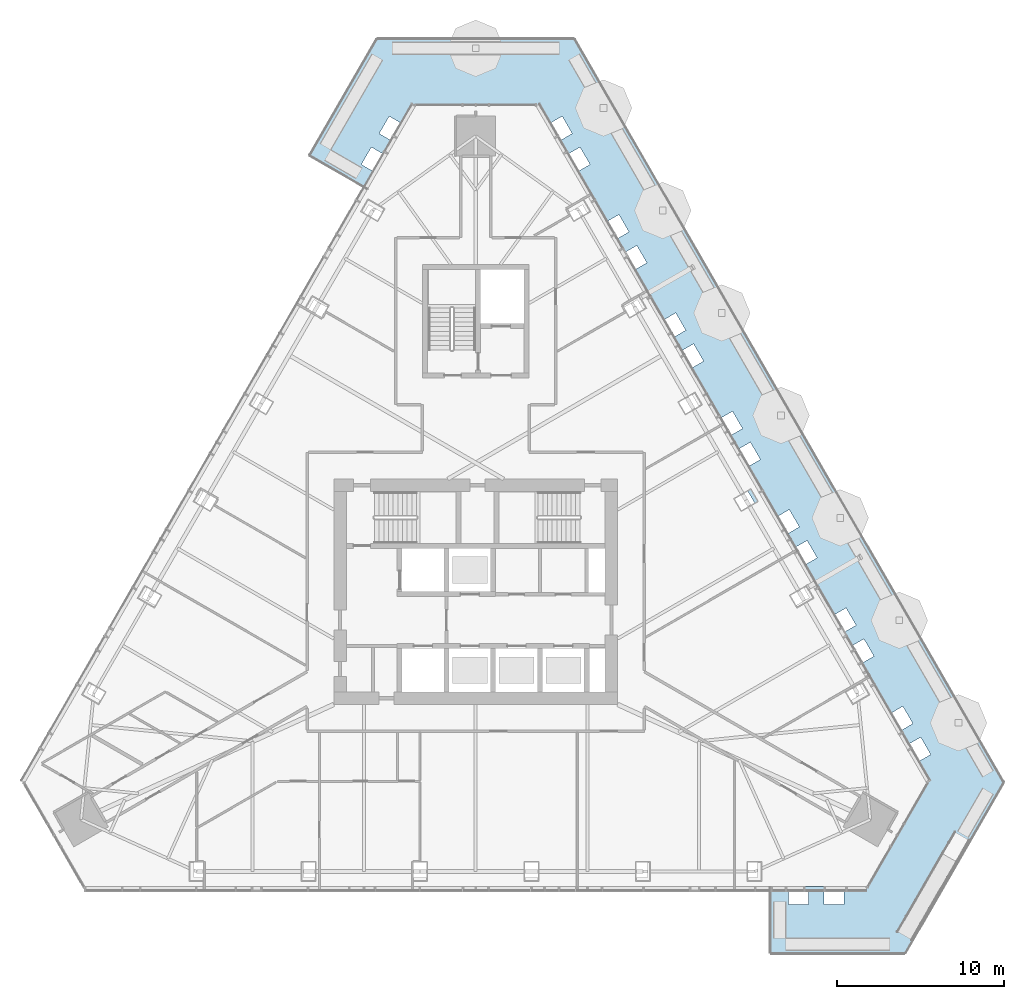
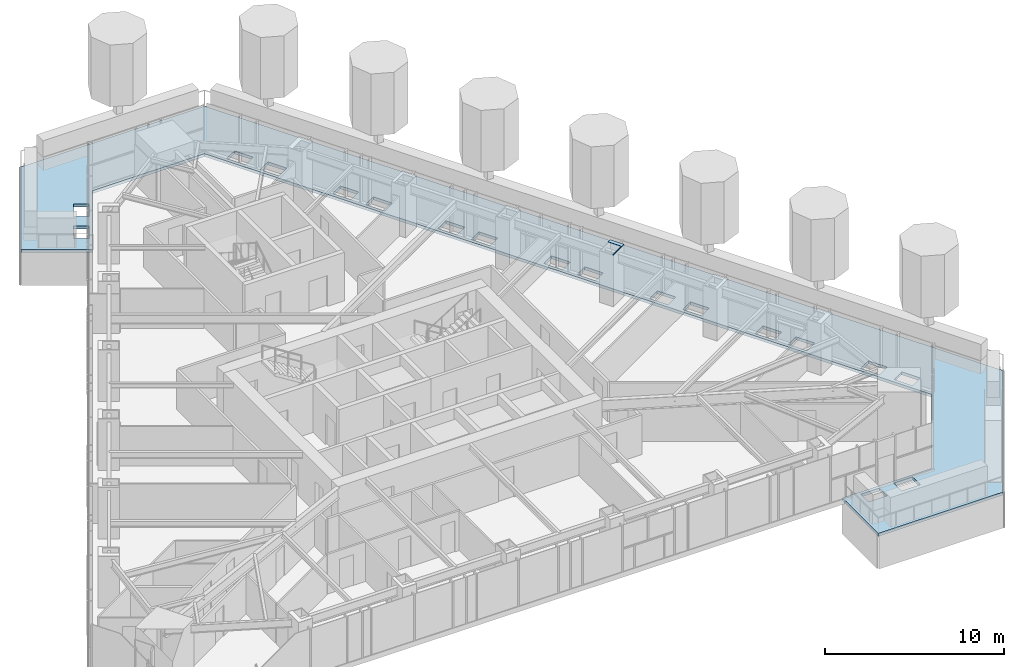
# One storey, part 12 of 24: 1 plate, 1 slab.
"""IFC4 building model written with IfcOpenShell, lengths in metres."""

from ifc_helpers import new_model, si_unit, direction, frame, origin, place, context, subcontext, project, spatial, polyline, outline, extrude, material, layer, layer_set, type_object, element, save


model = new_model("IFC4")

# Units and contexts
model_context = context("Model", 3, precision=1e-05, world=origin(), true_north=direction((0.0, 1.0)))
body_context = subcontext(model_context, "Body", "Model", "MODEL_VIEW")
ifc_project = project(units=[si_unit("LENGTHUNIT", "METRE"), si_unit("AREAUNIT", "SQUARE_METRE"), si_unit("VOLUMEUNIT", "CUBIC_METRE"), si_unit("PLANEANGLEUNIT", "RADIAN"), si_unit("MASSUNIT", "GRAM", prefix="KILO")], contexts=[model_context])

# Site, building, storey
site_placement = place(None, origin())
site = spatial("IfcSite", under=ifc_project, at=site_placement, CompositionType="ELEMENT")
building_placement = place(site_placement, origin())
building = spatial("IfcBuilding", under=site, at=building_placement, Name="Firuza Gate Tower and Library", CompositionType="ELEMENT")
storey_placement = place(building_placement, frame((0.0, 0.0, 267.10009765625)))
storey = spatial("IfcBuildingStorey", under=building, at=storey_placement, Name="L63", CompositionType="ELEMENT", Elevation=267.10009765625)

# Plate
ifc_material_1 = material(Name="Steel S355", Category="steel")
ifc_layer_1 = layer(ifc_material_1, 0.030029296875)
ifc_layer_set_1 = layer_set([ifc_layer_1], Name="Column infill plate 30 Steel S355")
plate_type = type_object("IfcPlateType", Name="Column infill plate 30 Steel S355", PredefinedType="SHEET", material=ifc_layer_set_1)
plate_placement = place(storey_placement, frame((0.0, 0.0, 3.5)))
element("IfcPlate", 1, at=plate_placement, inside=storey, type_object=plate_type, Name="Infill plate L63:E3", PredefinedType="SHEET", context=body_context, shape_type="SweptSolid", body=[
    extrude(outline(polyline([(91.48046875, 81.176513671875), (91.275146484375, 81.057861328125), (91.69580078125, 80.329345703125), (90.862060546875, 79.847900390625), (90.891357421875, 79.796875), (91.930419921875, 80.39697265625), (91.48046875, 81.176513671875)])), origin(), (0.0, 0.0, 1.0), 0.02978515625),
])

# Slab
ifc_material_2 = material(Name="Concrete C40/50", Category="concrete")
ifc_layer_2 = layer(ifc_material_2, 0.199951171875)
ifc_layer_set_2 = layer_set([ifc_layer_2], Name="Planter tray slab 200 C40/50")
slab_type = type_object("IfcSlabType", Name="Planter tray slab 200 C40/50", PredefinedType="FLOOR", material=ifc_layer_set_2)
slab_placement = place(storey_placement, frame((0.0, 0.0, -0.2001953125)))
element("IfcSlab", 2, at=slab_placement, inside=storey, type_object=slab_type, Name="Planter tray L63 band 7", PredefinedType="FLOOR", context=body_context, shape_type="SweptSolid", body=[
    extrude(outline(polyline([(92.66064453125, 57.33935546875), (92.66064453125, 53.33935546875), (100.69873046875, 53.33935546875), (106.608154296875, 63.57470703125), (80.909423828125, 108.086181640625), (69.090576171875, 108.086181640625), (65.071533203125, 101.125), (68.53564453125, 99.125), (71.39990234375, 104.086181640625), (78.60009765625, 104.086181640625), (101.9892578125, 63.57470703125), (98.389404296875, 57.33935546875), (92.66064453125, 57.33935546875)]), holes=[polyline([(85.248779296875, 94.6943359375), (84.5126953125, 94.269287109375), (83.91259765625, 95.30859375), (84.648681640625, 95.733642578125), (85.248779296875, 94.6943359375)]), polyline([(84.18017578125, 96.545166015625), (83.444091796875, 96.1201171875), (82.843994140625, 97.159423828125), (83.580078125, 97.58447265625), (84.18017578125, 96.545166015625)]), polyline([(69.4873046875, 101.197509765625), (68.887451171875, 100.158203125), (68.151123046875, 100.583251953125), (68.751220703125, 101.62255859375), (69.4873046875, 101.197509765625)]), polyline([(81.112548828125, 100.158203125), (80.5126953125, 101.197509765625), (81.248779296875, 101.62255859375), (81.848876953125, 100.583251953125), (81.112548828125, 100.158203125)]), polyline([(69.81982421875, 103.473388671875), (70.555908203125, 103.04833984375), (69.9560546875, 102.009033203125), (69.2197265625, 102.43408203125), (69.81982421875, 103.473388671875)]), polyline([(80.7802734375, 102.43408203125), (80.0439453125, 102.009033203125), (79.444091796875, 103.04833984375), (80.18017578125, 103.473388671875), (80.7802734375, 102.43408203125)]), polyline([(93.7314453125, 57.127197265625), (94.931396484375, 57.127197265625), (94.931396484375, 56.277099609375), (93.7314453125, 56.277099609375), (93.7314453125, 57.127197265625)]), polyline([(95.86865234375, 56.277099609375), (95.86865234375, 57.127197265625), (97.068603515625, 57.127197265625), (97.068603515625, 56.277099609375), (95.86865234375, 56.277099609375)]), polyline([(102.248779296875, 65.24951171875), (101.5126953125, 64.824462890625), (100.91259765625, 65.86376953125), (101.648681640625, 66.288818359375), (102.248779296875, 65.24951171875)]), polyline([(101.18017578125, 67.100341796875), (100.444091796875, 66.67529296875), (99.843994140625, 67.714599609375), (100.580078125, 68.1396484375), (101.18017578125, 67.100341796875)]), polyline([(98.112548828125, 70.71337890625), (97.5126953125, 71.752685546875), (98.248779296875, 72.177734375), (98.848876953125, 71.138427734375), (98.112548828125, 70.71337890625)]), polyline([(97.0439453125, 72.564208984375), (96.444091796875, 73.603515625), (97.18017578125, 74.028564453125), (97.7802734375, 72.9892578125), (97.0439453125, 72.564208984375)]), polyline([(95.44873046875, 77.02734375), (94.712646484375, 76.6025390625), (94.112548828125, 77.6416015625), (94.848876953125, 78.066650390625), (95.44873046875, 77.02734375)]), polyline([(93.64404296875, 78.453369140625), (93.0439453125, 79.492431640625), (93.7802734375, 79.91748046875), (94.380126953125, 78.878173828125), (93.64404296875, 78.453369140625)]), polyline([(91.312744140625, 82.491455078125), (90.712646484375, 83.530517578125), (91.44873046875, 83.95556640625), (92.048828125, 82.91650390625), (91.312744140625, 82.491455078125)]), polyline([(90.980224609375, 84.767333984375), (90.244140625, 84.34228515625), (89.64404296875, 85.38134765625), (90.380126953125, 85.806396484375), (90.980224609375, 84.767333984375)]), polyline([(87.91259765625, 88.38037109375), (87.312744140625, 89.419677734375), (88.048828125, 89.8447265625), (88.648681640625, 88.805419921875), (87.91259765625, 88.38037109375)]), polyline([(86.843994140625, 90.231201171875), (86.244140625, 91.2705078125), (86.980224609375, 91.6953125), (87.580078125, 90.65625), (86.843994140625, 90.231201171875)])]), origin(), (0.0, 0.0, 1.0), 0.2001953125),
])

save(model, "model.ifc")
